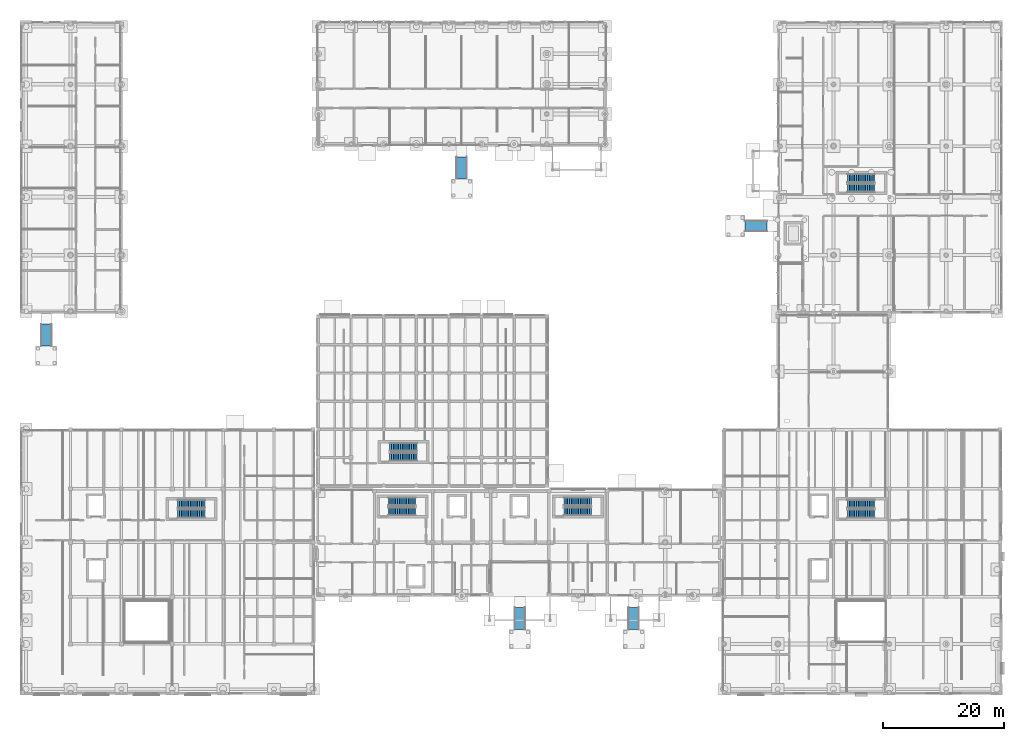
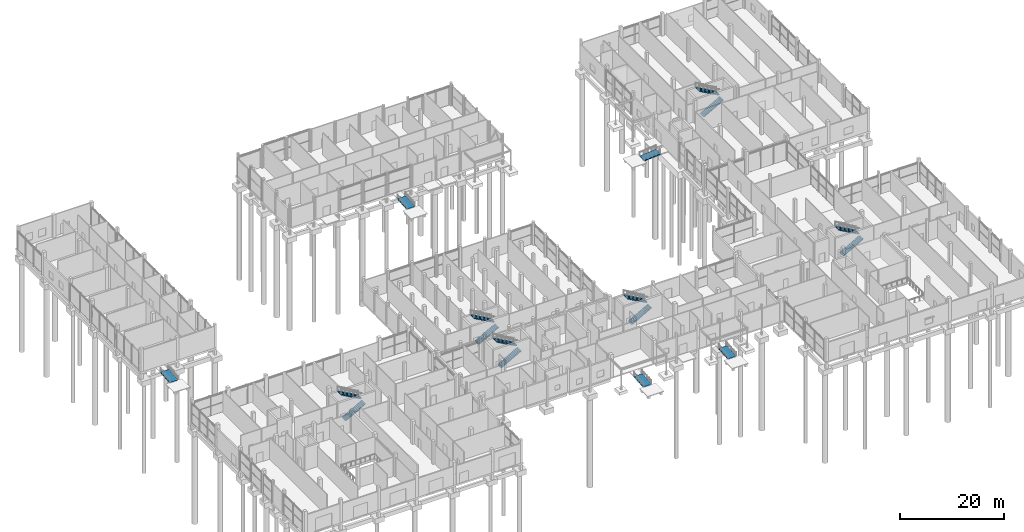
# One storey, part 71 of 88: 12 stair flights, 5 ramp flights, 11 elements without a shape of their own.
"""IFC4 building model written with IfcOpenShell, lengths in metres."""

from ifc_helpers import new_model, si_unit, direction, frame, origin, place, context, subcontext, project, spatial, polyline, outline, extrude, material, layer, layer_set, type_object, element, aggregate, save


model = new_model("IFC4")

# Units and contexts
model_context = context("Model", 3, precision=1e-05, world=origin(), true_north=direction((0.0, 1.0)))
body_context = subcontext(model_context, "Body", "Model", "MODEL_VIEW")
ifc_project = project(units=[si_unit("LENGTHUNIT", "METRE"), si_unit("AREAUNIT", "SQUARE_METRE"), si_unit("VOLUMEUNIT", "CUBIC_METRE"), si_unit("PLANEANGLEUNIT", "RADIAN"), si_unit("MASSUNIT", "GRAM", prefix="KILO")], contexts=[model_context])

# Site, building, storey
site_placement = place(None, origin())
site = spatial("IfcSite", under=ifc_project, at=site_placement, CompositionType="ELEMENT")
building_placement = place(site_placement, origin())
building = spatial("IfcBuilding", under=site, at=building_placement, Name="Birchvale Park Specialist Clinic", CompositionType="ELEMENT")
storey_placement = place(building_placement, origin())
storey = spatial("IfcBuildingStorey", under=building, at=storey_placement, Name="L00", CompositionType="ELEMENT", Elevation=0.0)

# Stair, stair flights
ifc_material = material(Name="Concrete C35/45", Category="concrete")
stair_type = type_object("IfcStairType", Name="ST-H54", PredefinedType="HALF_TURN_STAIR", material=ifc_material)
stair_1_placement = place(storey_placement, origin())
stair_1 = element("IfcStair", 1, at=stair_1_placement, inside=storey, type_object=stair_type, Name="L00 Protected exit stair ST1", PredefinedType="HALF_TURN_STAIR")
stair_flight_type = type_object("IfcStairFlightType", Name="FLT-ST-H54", PredefinedType="STRAIGHT", material=ifc_material)
stair_flight_1_placement = place(storey_placement, frame((63.89990234375, 39.89990234375, 0.0), z_axis=(0.0, 0.0, 1.0), x_axis=(1.0, 0.0, 0.0)))
stair_flight_1 = element("IfcStairFlight", 2, at=stair_flight_1_placement, type_object=stair_flight_type, Name="ST1 flight 1", NumberOfRisers=16, NumberOfTreads=15, PredefinedType="STRAIGHT", RiserHeight=0.16875, TreadLength=0.3, context=body_context, shape_type="SweptSolid", body=[
    extrude(outline(polyline([(0.0, 0.0), (0.0, 0.168701171875), (0.300048828125, 0.168701171875), (0.300048828125, 0.33740234375), (0.60009765625, 0.33740234375), (0.60009765625, 0.50634765625), (0.89990234375, 0.50634765625), (0.89990234375, 0.675048828125), (1.199951171875, 0.675048828125), (1.199951171875, 0.84375), (1.5, 0.84375), (1.5, 1.012451171875), (1.800048828125, 1.012451171875), (1.800048828125, 1.18115234375), (2.10009765625, 1.18115234375), (2.10009765625, 1.35009765625), (2.39990234375, 1.35009765625), (2.39990234375, 1.518798828125), (2.699951171875, 1.518798828125), (2.699951171875, 1.6875), (3.0, 1.6875), (3.0, 1.856201171875), (3.300048828125, 1.856201171875), (3.300048828125, 2.02490234375), (3.60009765625, 2.02490234375), (3.60009765625, 2.19384765625), (3.89990234375, 2.19384765625), (3.89990234375, 2.362548828125), (4.199951171875, 2.362548828125), (4.199951171875, 2.53125), (4.5, 2.53125), (4.5, 2.699951171875), (4.5, 2.34765625), (0.326171875, 0.0), (0.0, 0.0)])), frame((0.0, 0.699951171875, 0.0), z_axis=(0.0, -1.0, 0.0), x_axis=(1.0, 0.0, 0.0)), (0.0, 0.0, 1.0), 1.39990234375),
])
stair_flight_2_placement = place(storey_placement, frame((68.39990234375, 41.5, 2.699951171875), z_axis=(0.0, 0.0, 1.0), x_axis=(-1.0, 0.0, 0.0)))
stair_flight_2 = element("IfcStairFlight", 3, at=stair_flight_2_placement, type_object=stair_flight_type, Name="ST1 flight 2", NumberOfRisers=16, NumberOfTreads=15, PredefinedType="STRAIGHT", RiserHeight=0.16875, TreadLength=0.3, context=body_context, shape_type="SweptSolid", body=[
    extrude(outline(polyline([(0.0, 0.0), (0.0, 0.168701171875), (0.300048828125, 0.168701171875), (0.300048828125, 0.33740234375), (0.60009765625, 0.33740234375), (0.60009765625, 0.50634765625), (0.89990234375, 0.50634765625), (0.89990234375, 0.675048828125), (1.199951171875, 0.675048828125), (1.199951171875, 0.84375), (1.5, 0.84375), (1.5, 1.012451171875), (1.800048828125, 1.012451171875), (1.800048828125, 1.18115234375), (2.10009765625, 1.18115234375), (2.10009765625, 1.35009765625), (2.39990234375, 1.35009765625), (2.39990234375, 1.518798828125), (2.699951171875, 1.518798828125), (2.699951171875, 1.6875), (3.0, 1.6875), (3.0, 1.856201171875), (3.300048828125, 1.856201171875), (3.300048828125, 2.02490234375), (3.60009765625, 2.02490234375), (3.60009765625, 2.19384765625), (3.89990234375, 2.19384765625), (3.89990234375, 2.362548828125), (4.199951171875, 2.362548828125), (4.199951171875, 2.53125), (4.5, 2.53125), (4.5, 2.699951171875), (4.5, 2.34765625), (0.326171875, 0.0), (0.0, 0.0)])), frame((0.0, 0.699951171875, 0.0), z_axis=(0.0, -1.0, 0.0), x_axis=(1.0, 0.0, 0.0)), (0.0, 0.0, 1.0), 1.39990234375),
])
aggregate(stair_1, [stair_flight_1, stair_flight_2])

stair_2_placement = place(storey_placement, origin())
stair_2 = element("IfcStair", 4, at=stair_2_placement, inside=storey, type_object=stair_type, Name="L00 Protected exit stair ST2", PredefinedType="HALF_TURN_STAIR")
stair_flight_3_placement = place(storey_placement, frame((28.89990234375, 30.5, 0.0), z_axis=(0.0, 0.0, 1.0), x_axis=(1.0, 0.0, 0.0)))
stair_flight_3 = element("IfcStairFlight", 5, at=stair_flight_3_placement, type_object=stair_flight_type, Name="ST2 flight 1", NumberOfRisers=16, NumberOfTreads=15, PredefinedType="STRAIGHT", RiserHeight=0.16875, TreadLength=0.3, context=body_context, shape_type="SweptSolid", body=[
    extrude(outline(polyline([(0.0, 0.0), (0.0, 0.168701171875), (0.300048828125, 0.168701171875), (0.300048828125, 0.33740234375), (0.60009765625, 0.33740234375), (0.60009765625, 0.50634765625), (0.89990234375, 0.50634765625), (0.89990234375, 0.675048828125), (1.199951171875, 0.675048828125), (1.199951171875, 0.84375), (1.5, 0.84375), (1.5, 1.012451171875), (1.800048828125, 1.012451171875), (1.800048828125, 1.18115234375), (2.10009765625, 1.18115234375), (2.10009765625, 1.35009765625), (2.39990234375, 1.35009765625), (2.39990234375, 1.518798828125), (2.699951171875, 1.518798828125), (2.699951171875, 1.6875), (3.0, 1.6875), (3.0, 1.856201171875), (3.300048828125, 1.856201171875), (3.300048828125, 2.02490234375), (3.60009765625, 2.02490234375), (3.60009765625, 2.19384765625), (3.89990234375, 2.19384765625), (3.89990234375, 2.362548828125), (4.199951171875, 2.362548828125), (4.199951171875, 2.53125), (4.5, 2.53125), (4.5, 2.699951171875), (4.5, 2.34765625), (0.326171875, 0.0), (0.0, 0.0)])), frame((0.0, 0.699951171875, 0.0), z_axis=(0.0, -1.0, 0.0), x_axis=(1.0, 0.0, 0.0)), (0.0, 0.0, 1.0), 1.39990234375),
])
stair_flight_4_placement = place(storey_placement, frame((33.39990234375, 32.10009765625, 2.699951171875), z_axis=(0.0, 0.0, 1.0), x_axis=(-1.0, 0.0, 0.0)))
stair_flight_4 = element("IfcStairFlight", 6, at=stair_flight_4_placement, type_object=stair_flight_type, Name="ST2 flight 2", NumberOfRisers=16, NumberOfTreads=15, PredefinedType="STRAIGHT", RiserHeight=0.16875, TreadLength=0.3, context=body_context, shape_type="SweptSolid", body=[
    extrude(outline(polyline([(0.0, 0.0), (0.0, 0.168701171875), (0.300048828125, 0.168701171875), (0.300048828125, 0.33740234375), (0.60009765625, 0.33740234375), (0.60009765625, 0.50634765625), (0.89990234375, 0.50634765625), (0.89990234375, 0.675048828125), (1.199951171875, 0.675048828125), (1.199951171875, 0.84375), (1.5, 0.84375), (1.5, 1.012451171875), (1.800048828125, 1.012451171875), (1.800048828125, 1.18115234375), (2.10009765625, 1.18115234375), (2.10009765625, 1.35009765625), (2.39990234375, 1.35009765625), (2.39990234375, 1.518798828125), (2.699951171875, 1.518798828125), (2.699951171875, 1.6875), (3.0, 1.6875), (3.0, 1.856201171875), (3.300048828125, 1.856201171875), (3.300048828125, 2.02490234375), (3.60009765625, 2.02490234375), (3.60009765625, 2.19384765625), (3.89990234375, 2.19384765625), (3.89990234375, 2.362548828125), (4.199951171875, 2.362548828125), (4.199951171875, 2.53125), (4.5, 2.53125), (4.5, 2.699951171875), (4.5, 2.34765625), (0.326171875, 0.0), (0.0, 0.0)])), frame((0.0, 0.699951171875, 0.0), z_axis=(0.0, -1.0, 0.0), x_axis=(1.0, 0.0, 0.0)), (0.0, 0.0, 1.0), 1.39990234375),
])
aggregate(stair_2, [stair_flight_3, stair_flight_4])

stair_3_placement = place(storey_placement, origin())
stair_3 = element("IfcStair", 7, at=stair_3_placement, inside=storey, type_object=stair_type, Name="L00 Protected exit stair ST3", PredefinedType="HALF_TURN_STAIR")
stair_flight_5_placement = place(storey_placement, frame((139.5, 84.300048828125, 0.0), z_axis=(0.0, 0.0, 1.0), x_axis=(1.0, 0.0, 0.0)))
stair_flight_5 = element("IfcStairFlight", 8, at=stair_flight_5_placement, type_object=stair_flight_type, Name="ST3 flight 1", NumberOfRisers=16, NumberOfTreads=15, PredefinedType="STRAIGHT", RiserHeight=0.16875, TreadLength=0.3, context=body_context, shape_type="SweptSolid", body=[
    extrude(outline(polyline([(0.0, 0.0), (0.0, 0.168701171875), (0.300048828125, 0.168701171875), (0.300048828125, 0.33740234375), (0.60009765625, 0.33740234375), (0.60009765625, 0.50634765625), (0.89990234375, 0.50634765625), (0.89990234375, 0.675048828125), (1.199951171875, 0.675048828125), (1.199951171875, 0.84375), (1.5, 0.84375), (1.5, 1.012451171875), (1.800048828125, 1.012451171875), (1.800048828125, 1.18115234375), (2.10009765625, 1.18115234375), (2.10009765625, 1.35009765625), (2.39990234375, 1.35009765625), (2.39990234375, 1.518798828125), (2.699951171875, 1.518798828125), (2.699951171875, 1.6875), (3.0, 1.6875), (3.0, 1.856201171875), (3.300048828125, 1.856201171875), (3.300048828125, 2.02490234375), (3.60009765625, 2.02490234375), (3.60009765625, 2.19384765625), (3.89990234375, 2.19384765625), (3.89990234375, 2.362548828125), (4.199951171875, 2.362548828125), (4.199951171875, 2.53125), (4.5, 2.53125), (4.5, 2.699951171875), (4.5, 2.34765625), (0.326171875, 0.0), (0.0, 0.0)])), frame((0.0, 0.699951171875, 0.0), z_axis=(0.0, -1.0, 0.0), x_axis=(1.0, 0.0, 0.0)), (0.0, 0.0, 1.0), 1.39990234375),
])
stair_flight_6_placement = place(storey_placement, frame((144.0, 85.89990234375, 2.699951171875), z_axis=(0.0, 0.0, 1.0), x_axis=(-1.0, 0.0, 0.0)))
stair_flight_6 = element("IfcStairFlight", 9, at=stair_flight_6_placement, type_object=stair_flight_type, Name="ST3 flight 2", NumberOfRisers=16, NumberOfTreads=15, PredefinedType="STRAIGHT", RiserHeight=0.16875, TreadLength=0.3, context=body_context, shape_type="SweptSolid", body=[
    extrude(outline(polyline([(0.0, 0.0), (0.0, 0.168701171875), (0.300048828125, 0.168701171875), (0.300048828125, 0.33740234375), (0.60009765625, 0.33740234375), (0.60009765625, 0.50634765625), (0.89990234375, 0.50634765625), (0.89990234375, 0.675048828125), (1.199951171875, 0.675048828125), (1.199951171875, 0.84375), (1.5, 0.84375), (1.5, 1.012451171875), (1.800048828125, 1.012451171875), (1.800048828125, 1.18115234375), (2.10009765625, 1.18115234375), (2.10009765625, 1.35009765625), (2.39990234375, 1.35009765625), (2.39990234375, 1.518798828125), (2.699951171875, 1.518798828125), (2.699951171875, 1.6875), (3.0, 1.6875), (3.0, 1.856201171875), (3.300048828125, 1.856201171875), (3.300048828125, 2.02490234375), (3.60009765625, 2.02490234375), (3.60009765625, 2.19384765625), (3.89990234375, 2.19384765625), (3.89990234375, 2.362548828125), (4.199951171875, 2.362548828125), (4.199951171875, 2.53125), (4.5, 2.53125), (4.5, 2.699951171875), (4.5, 2.34765625), (0.326171875, 0.0), (0.0, 0.0)])), frame((0.0, 0.699951171875, 0.0), z_axis=(0.0, -1.0, 0.0), x_axis=(1.0, 0.0, 0.0)), (0.0, 0.0, 1.0), 1.39990234375),
])
aggregate(stair_3, [stair_flight_5, stair_flight_6])

stair_4_placement = place(storey_placement, origin())
stair_4 = element("IfcStair", 10, at=stair_4_placement, inside=storey, type_object=stair_type, Name="L00 Protected exit stair ST4", PredefinedType="HALF_TURN_STAIR")
stair_flight_7_placement = place(storey_placement, frame((63.699951171875, 30.89990234375, 0.0), z_axis=(0.0, 0.0, 1.0), x_axis=(1.0, 0.0, 0.0)))
stair_flight_7 = element("IfcStairFlight", 11, at=stair_flight_7_placement, type_object=stair_flight_type, Name="ST4 flight 1", NumberOfRisers=16, NumberOfTreads=15, PredefinedType="STRAIGHT", RiserHeight=0.16875, TreadLength=0.3, context=body_context, shape_type="SweptSolid", body=[
    extrude(outline(polyline([(0.0, 0.0), (0.0, 0.168701171875), (0.300048828125, 0.168701171875), (0.300048828125, 0.33740234375), (0.60009765625, 0.33740234375), (0.60009765625, 0.50634765625), (0.89990234375, 0.50634765625), (0.89990234375, 0.675048828125), (1.199951171875, 0.675048828125), (1.199951171875, 0.84375), (1.5, 0.84375), (1.5, 1.012451171875), (1.800048828125, 1.012451171875), (1.800048828125, 1.18115234375), (2.10009765625, 1.18115234375), (2.10009765625, 1.35009765625), (2.39990234375, 1.35009765625), (2.39990234375, 1.518798828125), (2.699951171875, 1.518798828125), (2.699951171875, 1.6875), (3.0, 1.6875), (3.0, 1.856201171875), (3.300048828125, 1.856201171875), (3.300048828125, 2.02490234375), (3.60009765625, 2.02490234375), (3.60009765625, 2.19384765625), (3.89990234375, 2.19384765625), (3.89990234375, 2.362548828125), (4.199951171875, 2.362548828125), (4.199951171875, 2.53125), (4.5, 2.53125), (4.5, 2.699951171875), (4.5, 2.34765625), (0.326171875, 0.0), (0.0, 0.0)])), frame((0.0, 0.699951171875, 0.0), z_axis=(0.0, -1.0, 0.0), x_axis=(1.0, 0.0, 0.0)), (0.0, 0.0, 1.0), 1.39990234375),
])
stair_flight_8_placement = place(storey_placement, frame((68.199951171875, 32.5, 2.699951171875), z_axis=(0.0, 0.0, 1.0), x_axis=(-1.0, 0.0, 0.0)))
stair_flight_8 = element("IfcStairFlight", 12, at=stair_flight_8_placement, type_object=stair_flight_type, Name="ST4 flight 2", NumberOfRisers=16, NumberOfTreads=15, PredefinedType="STRAIGHT", RiserHeight=0.16875, TreadLength=0.3, context=body_context, shape_type="SweptSolid", body=[
    extrude(outline(polyline([(0.0, 0.0), (0.0, 0.168701171875), (0.300048828125, 0.168701171875), (0.300048828125, 0.33740234375), (0.60009765625, 0.33740234375), (0.60009765625, 0.50634765625), (0.89990234375, 0.50634765625), (0.89990234375, 0.675048828125), (1.199951171875, 0.675048828125), (1.199951171875, 0.84375), (1.5, 0.84375), (1.5, 1.012451171875), (1.800048828125, 1.012451171875), (1.800048828125, 1.18115234375), (2.10009765625, 1.18115234375), (2.10009765625, 1.35009765625), (2.39990234375, 1.35009765625), (2.39990234375, 1.518798828125), (2.699951171875, 1.518798828125), (2.699951171875, 1.6875), (3.0, 1.6875), (3.0, 1.856201171875), (3.300048828125, 1.856201171875), (3.300048828125, 2.02490234375), (3.60009765625, 2.02490234375), (3.60009765625, 2.19384765625), (3.89990234375, 2.19384765625), (3.89990234375, 2.362548828125), (4.199951171875, 2.362548828125), (4.199951171875, 2.53125), (4.5, 2.53125), (4.5, 2.699951171875), (4.5, 2.34765625), (0.326171875, 0.0), (0.0, 0.0)])), frame((0.0, 0.699951171875, 0.0), z_axis=(0.0, -1.0, 0.0), x_axis=(1.0, 0.0, 0.0)), (0.0, 0.0, 1.0), 1.39990234375),
])
aggregate(stair_4, [stair_flight_7, stair_flight_8])

stair_5_placement = place(storey_placement, origin())
stair_5 = element("IfcStair", 13, at=stair_5_placement, inside=storey, type_object=stair_type, Name="L00 Protected exit stair ST5", PredefinedType="HALF_TURN_STAIR")
stair_flight_9_placement = place(storey_placement, frame((92.699951171875, 30.89990234375, 0.0), z_axis=(0.0, 0.0, 1.0), x_axis=(1.0, 0.0, 0.0)))
stair_flight_9 = element("IfcStairFlight", 14, at=stair_flight_9_placement, type_object=stair_flight_type, Name="ST5 flight 1", NumberOfRisers=16, NumberOfTreads=15, PredefinedType="STRAIGHT", RiserHeight=0.16875, TreadLength=0.3, context=body_context, shape_type="SweptSolid", body=[
    extrude(outline(polyline([(0.0, 0.0), (0.0, 0.168701171875), (0.300048828125, 0.168701171875), (0.300048828125, 0.33740234375), (0.60009765625, 0.33740234375), (0.60009765625, 0.50634765625), (0.89990234375, 0.50634765625), (0.89990234375, 0.675048828125), (1.199951171875, 0.675048828125), (1.199951171875, 0.84375), (1.5, 0.84375), (1.5, 1.012451171875), (1.800048828125, 1.012451171875), (1.800048828125, 1.18115234375), (2.10009765625, 1.18115234375), (2.10009765625, 1.35009765625), (2.39990234375, 1.35009765625), (2.39990234375, 1.518798828125), (2.699951171875, 1.518798828125), (2.699951171875, 1.6875), (3.0, 1.6875), (3.0, 1.856201171875), (3.300048828125, 1.856201171875), (3.300048828125, 2.02490234375), (3.60009765625, 2.02490234375), (3.60009765625, 2.19384765625), (3.89990234375, 2.19384765625), (3.89990234375, 2.362548828125), (4.199951171875, 2.362548828125), (4.199951171875, 2.53125), (4.5, 2.53125), (4.5, 2.699951171875), (4.5, 2.34765625), (0.326171875, 0.0), (0.0, 0.0)])), frame((0.0, 0.699951171875, 0.0), z_axis=(0.0, -1.0, 0.0), x_axis=(1.0, 0.0, 0.0)), (0.0, 0.0, 1.0), 1.39990234375),
])
stair_flight_10_placement = place(storey_placement, frame((97.199951171875, 32.5, 2.699951171875), z_axis=(0.0, 0.0, 1.0), x_axis=(-1.0, 0.0, 0.0)))
stair_flight_10 = element("IfcStairFlight", 15, at=stair_flight_10_placement, type_object=stair_flight_type, Name="ST5 flight 2", NumberOfRisers=16, NumberOfTreads=15, PredefinedType="STRAIGHT", RiserHeight=0.16875, TreadLength=0.3, context=body_context, shape_type="SweptSolid", body=[
    extrude(outline(polyline([(0.0, 0.0), (0.0, 0.168701171875), (0.300048828125, 0.168701171875), (0.300048828125, 0.33740234375), (0.60009765625, 0.33740234375), (0.60009765625, 0.50634765625), (0.89990234375, 0.50634765625), (0.89990234375, 0.675048828125), (1.199951171875, 0.675048828125), (1.199951171875, 0.84375), (1.5, 0.84375), (1.5, 1.012451171875), (1.800048828125, 1.012451171875), (1.800048828125, 1.18115234375), (2.10009765625, 1.18115234375), (2.10009765625, 1.35009765625), (2.39990234375, 1.35009765625), (2.39990234375, 1.518798828125), (2.699951171875, 1.518798828125), (2.699951171875, 1.6875), (3.0, 1.6875), (3.0, 1.856201171875), (3.300048828125, 1.856201171875), (3.300048828125, 2.02490234375), (3.60009765625, 2.02490234375), (3.60009765625, 2.19384765625), (3.89990234375, 2.19384765625), (3.89990234375, 2.362548828125), (4.199951171875, 2.362548828125), (4.199951171875, 2.53125), (4.5, 2.53125), (4.5, 2.699951171875), (4.5, 2.34765625), (0.326171875, 0.0), (0.0, 0.0)])), frame((0.0, 0.699951171875, 0.0), z_axis=(0.0, -1.0, 0.0), x_axis=(1.0, 0.0, 0.0)), (0.0, 0.0, 1.0), 1.39990234375),
])
aggregate(stair_5, [stair_flight_9, stair_flight_10])

stair_6_placement = place(storey_placement, origin())
stair_6 = element("IfcStair", 16, at=stair_6_placement, inside=storey, type_object=stair_type, Name="L00 Protected exit stair ST6", PredefinedType="HALF_TURN_STAIR")
stair_flight_11_placement = place(storey_placement, frame((139.5, 30.5, 0.0), z_axis=(0.0, 0.0, 1.0), x_axis=(1.0, 0.0, 0.0)))
stair_flight_11 = element("IfcStairFlight", 17, at=stair_flight_11_placement, type_object=stair_flight_type, Name="ST6 flight 1", NumberOfRisers=16, NumberOfTreads=15, PredefinedType="STRAIGHT", RiserHeight=0.16875, TreadLength=0.3, context=body_context, shape_type="SweptSolid", body=[
    extrude(outline(polyline([(0.0, 0.0), (0.0, 0.168701171875), (0.300048828125, 0.168701171875), (0.300048828125, 0.33740234375), (0.60009765625, 0.33740234375), (0.60009765625, 0.50634765625), (0.89990234375, 0.50634765625), (0.89990234375, 0.675048828125), (1.199951171875, 0.675048828125), (1.199951171875, 0.84375), (1.5, 0.84375), (1.5, 1.012451171875), (1.800048828125, 1.012451171875), (1.800048828125, 1.18115234375), (2.10009765625, 1.18115234375), (2.10009765625, 1.35009765625), (2.39990234375, 1.35009765625), (2.39990234375, 1.518798828125), (2.699951171875, 1.518798828125), (2.699951171875, 1.6875), (3.0, 1.6875), (3.0, 1.856201171875), (3.300048828125, 1.856201171875), (3.300048828125, 2.02490234375), (3.60009765625, 2.02490234375), (3.60009765625, 2.19384765625), (3.89990234375, 2.19384765625), (3.89990234375, 2.362548828125), (4.199951171875, 2.362548828125), (4.199951171875, 2.53125), (4.5, 2.53125), (4.5, 2.699951171875), (4.5, 2.34765625), (0.326171875, 0.0), (0.0, 0.0)])), frame((0.0, 0.699951171875, 0.0), z_axis=(0.0, -1.0, 0.0), x_axis=(1.0, 0.0, 0.0)), (0.0, 0.0, 1.0), 1.39990234375),
])
stair_flight_12_placement = place(storey_placement, frame((144.0, 32.10009765625, 2.699951171875), z_axis=(0.0, 0.0, 1.0), x_axis=(-1.0, 0.0, 0.0)))
stair_flight_12 = element("IfcStairFlight", 18, at=stair_flight_12_placement, type_object=stair_flight_type, Name="ST6 flight 2", NumberOfRisers=16, NumberOfTreads=15, PredefinedType="STRAIGHT", RiserHeight=0.16875, TreadLength=0.3, context=body_context, shape_type="SweptSolid", body=[
    extrude(outline(polyline([(0.0, 0.0), (0.0, 0.168701171875), (0.300048828125, 0.168701171875), (0.300048828125, 0.33740234375), (0.60009765625, 0.33740234375), (0.60009765625, 0.50634765625), (0.89990234375, 0.50634765625), (0.89990234375, 0.675048828125), (1.199951171875, 0.675048828125), (1.199951171875, 0.84375), (1.5, 0.84375), (1.5, 1.012451171875), (1.800048828125, 1.012451171875), (1.800048828125, 1.18115234375), (2.10009765625, 1.18115234375), (2.10009765625, 1.35009765625), (2.39990234375, 1.35009765625), (2.39990234375, 1.518798828125), (2.699951171875, 1.518798828125), (2.699951171875, 1.6875), (3.0, 1.6875), (3.0, 1.856201171875), (3.300048828125, 1.856201171875), (3.300048828125, 2.02490234375), (3.60009765625, 2.02490234375), (3.60009765625, 2.19384765625), (3.89990234375, 2.19384765625), (3.89990234375, 2.362548828125), (4.199951171875, 2.362548828125), (4.199951171875, 2.53125), (4.5, 2.53125), (4.5, 2.699951171875), (4.5, 2.34765625), (0.326171875, 0.0), (0.0, 0.0)])), frame((0.0, 0.699951171875, 0.0), z_axis=(0.0, -1.0, 0.0), x_axis=(1.0, 0.0, 0.0)), (0.0, 0.0, 1.0), 1.39990234375),
])
aggregate(stair_6, [stair_flight_11, stair_flight_12])

# Ramp, ramp flight
ramp_type = type_object("IfcRampType", Name="RMP-AR1", PredefinedType="STRAIGHT_RUN_RAMP", material=ifc_material)
ramp_1_placement = place(storey_placement, origin())
ramp_1 = element("IfcRamp", 19, at=ramp_1_placement, inside=storey, type_object=ramp_type, Name="Accessible 1:12 entrance ramp AR-1", PredefinedType="STRAIGHT_RUN_RAMP")
ifc_layer = layer(ifc_material, 0.219970703125)
ifc_layer_set = layer_set([ifc_layer], Name="Concrete C35/45")
ramp_flight_type = type_object("IfcRampFlightType", Name="RFL-AR1", PredefinedType="STRAIGHT", material=ifc_layer_set)
ramp_flight_1_placement = place(storey_placement, frame((85.39990234375, 11.39990234375, -0.300048828125), z_axis=(0.0, 0.0, 1.0), x_axis=(0.0, 1.0, 0.0)))
ramp_flight_1 = element("IfcRampFlight", 20, at=ramp_flight_1_placement, type_object=ramp_flight_type, Name="Accessible ramp flight AR-1", PredefinedType="STRAIGHT", context=body_context, shape_type="SweptSolid", body=[
    extrude(outline(polyline([(0.0, 0.0), (3.60009765625, 0.300048828125), (3.60009765625, 0.080078125), (0.0, -0.219970703125), (0.0, 0.0)])), frame((0.0, 0.89990234375, 0.0), z_axis=(0.0, -1.0, 0.0), x_axis=(1.0, 0.0, 0.0)), (0.0, 0.0, 1.0), 1.800048828125),
])
aggregate(ramp_1, [ramp_flight_1])

ramp_2_placement = place(storey_placement, origin())
ramp_2 = element("IfcRamp", 21, at=ramp_2_placement, inside=storey, type_object=ramp_type, Name="Accessible 1:12 entrance ramp AR-2", PredefinedType="STRAIGHT_RUN_RAMP")
ramp_flight_2_placement = place(storey_placement, frame((7.199951171875, 58.199951171875, -0.300048828125), z_axis=(0.0, 0.0, 1.0), x_axis=(0.0, 1.0, 0.0)))
ramp_flight_2 = element("IfcRampFlight", 22, at=ramp_flight_2_placement, type_object=ramp_flight_type, Name="Accessible ramp flight AR-2", PredefinedType="STRAIGHT", context=body_context, shape_type="SweptSolid", body=[
    extrude(outline(polyline([(0.0, 0.0), (3.60009765625, 0.300048828125), (3.60009765625, 0.080078125), (0.0, -0.219970703125), (0.0, 0.0)])), frame((0.0, 0.89990234375, 0.0), z_axis=(0.0, -1.0, 0.0), x_axis=(1.0, 0.0, 0.0)), (0.0, 0.0, 1.0), 1.800048828125),
])
aggregate(ramp_2, [ramp_flight_2])

ramp_3_placement = place(storey_placement, origin())
ramp_3 = element("IfcRamp", 23, at=ramp_3_placement, inside=storey, type_object=ramp_type, Name="Accessible 1:12 entrance ramp AR-3", PredefinedType="STRAIGHT_RUN_RAMP")
ramp_flight_3_placement = place(storey_placement, frame((75.800048828125, 85.800048828125, -0.300048828125), z_axis=(0.0, 0.0, 1.0), x_axis=(0.0, 1.0, 0.0)))
ramp_flight_3 = element("IfcRampFlight", 24, at=ramp_flight_3_placement, type_object=ramp_flight_type, Name="Accessible ramp flight AR-3", PredefinedType="STRAIGHT", context=body_context, shape_type="SweptSolid", body=[
    extrude(outline(polyline([(0.0, 0.0), (3.60009765625, 0.300048828125), (3.60009765625, 0.080078125), (0.0, -0.219970703125), (0.0, 0.0)])), frame((0.0, 0.89990234375, 0.0), z_axis=(0.0, -1.0, 0.0), x_axis=(1.0, 0.0, 0.0)), (0.0, 0.0, 1.0), 1.800048828125),
])
aggregate(ramp_3, [ramp_flight_3])

ramp_4_placement = place(storey_placement, origin())
ramp_4 = element("IfcRamp", 25, at=ramp_4_placement, inside=storey, type_object=ramp_type, Name="Accessible 1:12 entrance ramp AR-4", PredefinedType="STRAIGHT_RUN_RAMP")
ramp_flight_4_placement = place(storey_placement, frame((104.199951171875, 11.39990234375, -0.300048828125), z_axis=(0.0, 0.0, 1.0), x_axis=(0.0, 1.0, 0.0)))
ramp_flight_4 = element("IfcRampFlight", 26, at=ramp_flight_4_placement, type_object=ramp_flight_type, Name="Accessible ramp flight AR-4", PredefinedType="STRAIGHT", context=body_context, shape_type="SweptSolid", body=[
    extrude(outline(polyline([(0.0, 0.0), (3.60009765625, 0.300048828125), (3.60009765625, 0.080078125), (0.0, -0.219970703125), (0.0, 0.0)])), frame((0.0, 0.89990234375, 0.0), z_axis=(0.0, -1.0, 0.0), x_axis=(1.0, 0.0, 0.0)), (0.0, 0.0, 1.0), 1.800048828125),
])
aggregate(ramp_4, [ramp_flight_4])

ramp_5_placement = place(storey_placement, origin())
ramp_5 = element("IfcRamp", 27, at=ramp_5_placement, inside=storey, type_object=ramp_type, Name="Accessible 1:12 entrance ramp AR-5", PredefinedType="STRAIGHT_RUN_RAMP")
ramp_flight_5_placement = place(storey_placement, frame((122.60009765625, 78.0, -0.300048828125), z_axis=(0.0, 0.0, 1.0), x_axis=(1.0, 0.0, 0.0)))
ramp_flight_5 = element("IfcRampFlight", 28, at=ramp_flight_5_placement, type_object=ramp_flight_type, Name="Accessible ramp flight AR-5", PredefinedType="STRAIGHT", context=body_context, shape_type="SweptSolid", body=[
    extrude(outline(polyline([(0.0, 0.0), (3.60009765625, 0.300048828125), (3.60009765625, 0.080078125), (0.0, -0.219970703125), (0.0, 0.0)])), frame((0.0, 0.89990234375, 0.0), z_axis=(0.0, -1.0, 0.0), x_axis=(1.0, 0.0, 0.0)), (0.0, 0.0, 1.0), 1.800048828125),
])
aggregate(ramp_5, [ramp_flight_5])

save(model, "model.ifc")
